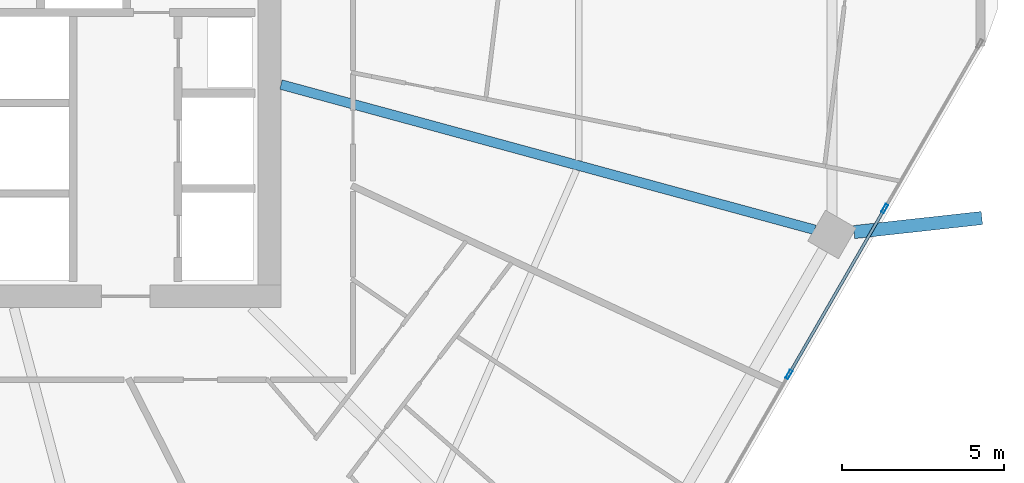
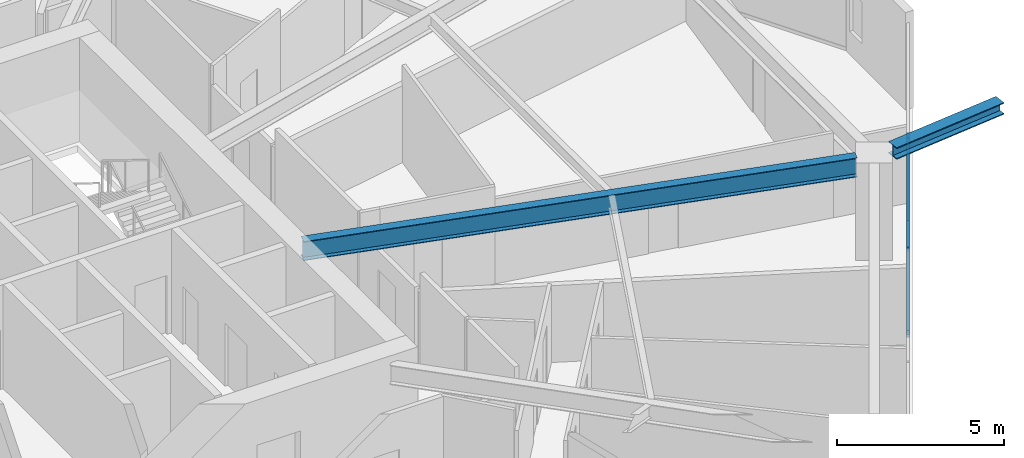
# One storey, part 10 of 29: 4 members, 2 beams, 1 element without a shape of its own.
"""IFC4 building model written with IfcOpenShell, lengths in metres."""

from ifc_helpers import new_model, si_unit, direction, frame, origin, origin_2d, place, context, subcontext, project, spatial, hollow_rectangle, i_section, extrude, material, material_profile, profile_set, type_object, element, aggregate, save


model = new_model("IFC4")

# Units and contexts
model_context = context("Model", 3, precision=1e-05, world=origin(), true_north=direction((0.0, 1.0)))
body_context = subcontext(model_context, "Body", "Model", "MODEL_VIEW")
ifc_project = project(units=[si_unit("LENGTHUNIT", "METRE"), si_unit("AREAUNIT", "SQUARE_METRE"), si_unit("VOLUMEUNIT", "CUBIC_METRE"), si_unit("PLANEANGLEUNIT", "RADIAN"), si_unit("MASSUNIT", "GRAM", prefix="KILO")], contexts=[model_context])

# Site, building, storey
site_placement = place(None, origin())
site = spatial("IfcSite", under=ifc_project, at=site_placement, CompositionType="ELEMENT")
building_placement = place(site_placement, origin())
building = spatial("IfcBuilding", under=site, at=building_placement, Name="Zuhravey Tower", CompositionType="ELEMENT")
storey_placement = place(building_placement, frame((0.0, 0.0, 134.199951171875)))
storey = spatial("IfcBuildingStorey", under=building, at=storey_placement, Name="L33", CompositionType="ELEMENT", Elevation=134.199951171875)

# Curtain wall, members
ifc_material_1 = material(Name="Thermally broken anodised aluminium", Category="aluminium")
curtain_wall_type = type_object("IfcCurtainWallType", Name="Zone 1-2 Residential Curtain Wall CW3", PredefinedType="NOTDEFINED", material=ifc_material_1)
curtain_wall_placement = place(storey_placement, origin())
curtain_wall = element("IfcCurtainWall", 1, at=curtain_wall_placement, inside=storey, type_object=curtain_wall_type, Name="L33 CW3 CW-L33-F6-1", PredefinedType="NOTDEFINED")
ifc_material_2 = material(Name="Anodised aluminium", Category="aluminium")
ifc_material_profile_1 = material_profile(ifc_material_2, hollow_rectangle(XDim=0.090087890625, YDim=0.284912109375, WallThickness=0.0048828125, at=origin_2d()), Name="ALU-RHS-90x285x5")
ifc_profile_set_1 = profile_set([ifc_material_profile_1], Name="Anodised aluminium")
member_type_1 = type_object("IfcMemberType", Name="Curtain-Wall Mullion 90x180", PredefinedType="MULLION", material=ifc_profile_set_1)
member_1_placement = place(storey_placement, frame((65.5185546875, 25.210693359375, 0.0), z_axis=(0.0, 0.0, 1.0), x_axis=(0.86602552265, -0.499999794119, 0.0)))
member_1 = element("IfcMember", 2, at=member_1_placement, type_object=member_type_1, Name="CW3 mullion 2", PredefinedType="MULLION", context=body_context, shape_type="SweptSolid", body=[
    extrude(hollow_rectangle(XDim=0.090087890625, YDim=0.284912109375, WallThickness=0.0048828125, at=origin_2d()), origin(), (0.0, 0.0, 1.0), 3.1220703125),
])
member_2_placement = place(storey_placement, frame((62.55859375, 20.083984375, 0.0), z_axis=(0.0, 0.0, 1.0), x_axis=(0.86602552265, -0.499999794119, 0.0)))
member_2 = element("IfcMember", 3, at=member_2_placement, type_object=member_type_1, Name="CW3 mullion 3", PredefinedType="MULLION", context=body_context, shape_type="SweptSolid", body=[
    extrude(hollow_rectangle(XDim=0.090087890625, YDim=0.284912109375, WallThickness=0.0048828125, at=origin_2d()), origin(), (0.0, 0.0, 1.0), 3.1220703125),
])
ifc_material_profile_2 = material_profile(ifc_material_2, hollow_rectangle(XDim=0.090087890625, YDim=0.14990234375, WallThickness=0.0048828125, at=origin_2d()), Name="ALU-RHS-90x150x5")
ifc_profile_set_2 = profile_set([ifc_material_profile_2], Name="Anodised aluminium")
member_type_2 = type_object("IfcMemberType", Name="Curtain-Wall Transom 90x150", PredefinedType="USERDEFINED", material=ifc_profile_set_2)
member_3_placement = place(storey_placement, frame((65.49609375, 25.171875, 0.045166015625), z_axis=(-0.499981042766, -0.866036348472, 0.0), x_axis=(0.866036348472, -0.499981042766, 0.0)))
member_3 = element("IfcMember", 4, at=member_3_placement, type_object=member_type_2, Name="CW3 transom 2.1", ObjectType="TRANSOM", PredefinedType="USERDEFINED", context=body_context, shape_type="SweptSolid", body=[
    extrude(hollow_rectangle(XDim=0.090087890625, YDim=0.14990234375, WallThickness=0.0048828125, at=origin_2d()), origin(), (0.0, 0.0, 1.0), 5.829833984375),
])
member_4_placement = place(storey_placement, frame((65.49609375, 25.171875, 3.0771484375), z_axis=(-0.499981042766, -0.866036348472, 0.0), x_axis=(0.866036348472, -0.499981042766, 0.0)))
member_4 = element("IfcMember", 5, at=member_4_placement, type_object=member_type_2, Name="CW3 transom 2.2", ObjectType="TRANSOM", PredefinedType="USERDEFINED", context=body_context, shape_type="SweptSolid", body=[
    extrude(hollow_rectangle(XDim=0.090087890625, YDim=0.14990234375, WallThickness=0.0048828125, at=origin_2d()), origin(), (0.0, 0.0, 1.0), 5.829833984375),
])
aggregate(curtain_wall, [member_1, member_2, member_3, member_4])

# Beams
ifc_material_3 = material(Name="Steel SM460", Category="steel")
ifc_material_profile_3 = material_profile(ifc_material_3, i_section(OverallWidth=0.406982421875, OverallDepth=0.427978515625, WebThickness=0.02001953125, FlangeThickness=0.034912109375, at=origin_2d()), Name="H-428x407x20x35")
ifc_profile_set_3 = profile_set([ifc_material_profile_3], Name="Steel SM460")
beam_type_1 = type_object("IfcBeamType", Name="Exoskeleton Node Tie Beam H428x407", PredefinedType="BEAM", material=ifc_profile_set_3)
beam_1_placement = place(storey_placement, frame((64.5712890625, 24.4833984375, 3.3359375), z_axis=(0.994005957907, 0.109325914797, 0.0), x_axis=(-0.109325914797, 0.994005957907, 0.0)))
element("IfcBeam", 6, at=beam_1_placement, inside=storey, type_object=beam_type_1, Name="L33 Exoskeleton Node Tie NT1-12", PredefinedType="BEAM", context=body_context, shape_type="SweptSolid", body=[
    extrude(i_section(OverallWidth=0.406982421875, OverallDepth=0.427978515625, WebThickness=0.02001953125, FlangeThickness=0.034912109375, at=origin_2d()), origin(), (0.0, 0.0, 1.0), 3.97509765625),
])
ifc_material_4 = material(Name="Steel SM355", Category="steel")
ifc_material_profile_4 = material_profile(ifc_material_4, i_section(OverallWidth=0.300048828125, OverallDepth=0.699951171875, WebThickness=0.012939453125, FlangeThickness=0.02392578125, at=origin_2d()), Name="H-700x300x13x24")
ifc_profile_set_4 = profile_set([ifc_material_profile_4], Name="Steel SM355")
beam_type_2 = type_object("IfcBeamType", Name="Radial Primary Girder H700x300", PredefinedType="BEAM", material=ifc_profile_set_4)
beam_2_placement = place(storey_placement, frame((46.85302734375, 29.045654296875, 3.199951171875), z_axis=(0.964893166225, -0.262642680791, 0.0), x_axis=(0.262642680791, 0.964893166225, 0.0)))
element("IfcBeam", 7, at=beam_2_placement, inside=storey, type_object=beam_type_2, Name="L33 RG1 BM-L33-RAD-12", PredefinedType="BEAM", context=body_context, shape_type="SweptSolid", body=[
    extrude(i_section(OverallWidth=0.300048828125, OverallDepth=0.699951171875, WebThickness=0.012939453125, FlangeThickness=0.02392578125, at=origin_2d()), origin(), (0.0, 0.0, 1.0), 17.102783203125),
])

save(model, "model.ifc")
